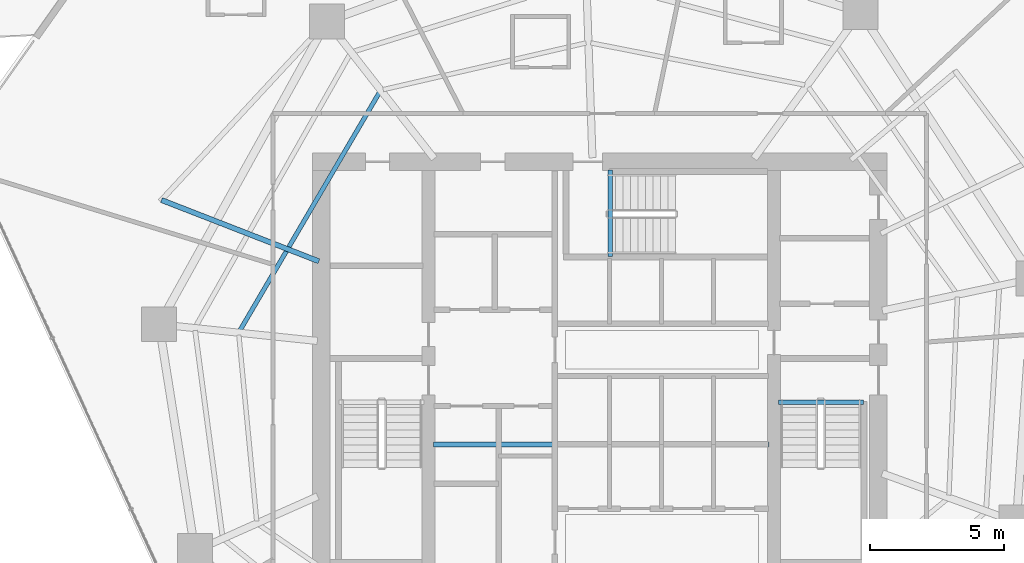
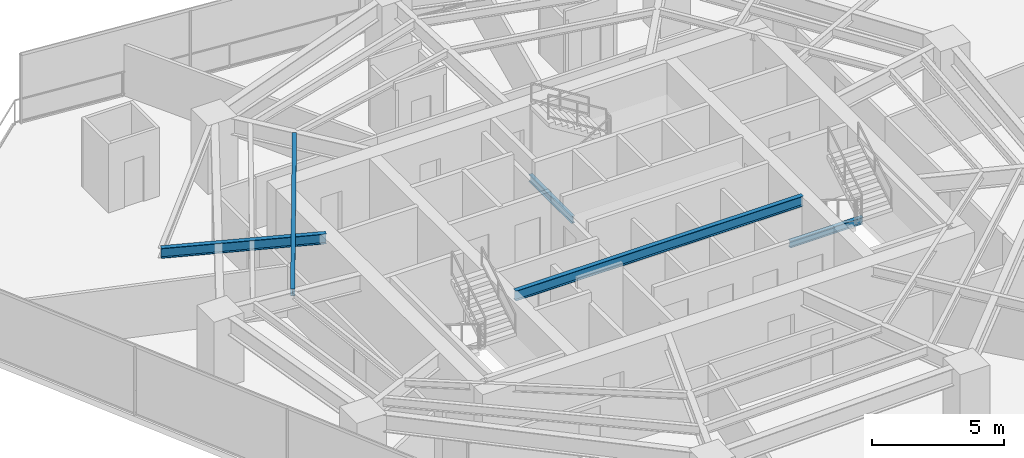
# One storey, part 10 of 30: 5 beams.
"""IFC4 building model written with IfcOpenShell, lengths in metres."""

from ifc_helpers import new_model, si_unit, direction, frame, origin, origin_2d, place, context, subcontext, project, spatial, i_section, extrude, material, material_profile, profile_set, type_object, element, save


model = new_model("IFC4")

# Units and contexts
model_context = context("Model", 3, precision=1e-05, world=origin(), true_north=direction((0.0, 1.0)))
body_context = subcontext(model_context, "Body", "Model", "MODEL_VIEW")
ifc_project = project(units=[si_unit("LENGTHUNIT", "METRE"), si_unit("AREAUNIT", "SQUARE_METRE"), si_unit("VOLUMEUNIT", "CUBIC_METRE"), si_unit("PLANEANGLEUNIT", "RADIAN"), si_unit("MASSUNIT", "GRAM", prefix="KILO")], contexts=[model_context])

# Site, building, storey
site_placement = place(None, origin())
site = spatial("IfcSite", under=ifc_project, at=site_placement, CompositionType="ELEMENT")
building_placement = place(site_placement, origin())
building = spatial("IfcBuilding", under=site, at=building_placement, Name="Qarnah Convention Tower", CompositionType="ELEMENT")
storey_placement = place(building_placement, frame((0.0, 0.0, 47.699951171875)))
storey = spatial("IfcBuildingStorey", under=building, at=storey_placement, Name="L11", CompositionType="ELEMENT", Elevation=47.699951171875)

# Beams
ifc_material = material(Name="Structural steel S355JR", Category="steel")
ifc_material_profile_1 = material_profile(ifc_material, i_section(OverallWidth=0.19189453125, OverallDepth=0.464111328125, WebThickness=0.010986328125, FlangeThickness=0.01806640625, at=origin_2d()), Name="W460X89")
ifc_profile_set_1 = profile_set([ifc_material_profile_1], Name="Structural steel S355JR")
beam_type_1 = type_object("IfcBeamType", Name="BM-CANT-W460A", PredefinedType="BEAM", material=ifc_profile_set_1)
beam_1_placement = place(storey_placement, frame((30.97998046875, 23.64990234375, 2.93798828125), z_axis=(1.0, 0.0, 0.0), x_axis=(0.0, 1.0, 0.0)))
element("IfcBeam", 1, at=beam_1_placement, inside=storey, type_object=beam_type_1, Name="L11 beam BM-L11-KC1", PredefinedType="BEAM", context=body_context, shape_type="SweptSolid", body=[
    extrude(i_section(OverallWidth=0.19189453125, OverallDepth=0.464111328125, WebThickness=0.010986328125, FlangeThickness=0.01806640625, at=origin_2d()), origin(), (0.0, 0.0, 1.0), 12.5400390625),
])
beam_2_placement = place(storey_placement, frame((26.70703125, 30.48388671875, 2.93798828125), z_axis=(-0.931897088326, 0.36272278226, 0.0), x_axis=(-0.36272278226, -0.931897088326, 0.0)))
element("IfcBeam", 2, at=beam_2_placement, inside=storey, type_object=beam_type_1, Name="L11 beam BM-L11-CNT-02-2", PredefinedType="BEAM", context=body_context, shape_type="SweptSolid", body=[
    extrude(i_section(OverallWidth=0.19189453125, OverallDepth=0.464111328125, WebThickness=0.010986328125, FlangeThickness=0.01806640625, at=origin_2d()), origin(), (0.0, 0.0, 1.0), 6.305419921875),
])
ifc_material_profile_2 = material_profile(ifc_material, i_section(OverallWidth=0.166015625, OverallDepth=0.31201171875, WebThickness=0.007080078125, FlangeThickness=0.010986328125, at=origin_2d()), Name="W310X45")
ifc_profile_set_2 = profile_set([ifc_material_profile_2], Name="Structural steel S355JR")
beam_type_2 = type_object("IfcBeamType", Name="BM-JST-W310", PredefinedType="JOIST", material=ifc_profile_set_2)
beam_3_placement = place(storey_placement, frame((43.860107421875, 25.217041015625, -0.156005859375), z_axis=(1.0, 0.0, 0.0), x_axis=(0.0, 1.0, 0.0)))
element("IfcBeam", 3, at=beam_3_placement, inside=storey, type_object=beam_type_2, Name="L11 stair landing trimmer beam BM-L11-ST2-TRM", PredefinedType="BEAM", context=body_context, shape_type="SweptSolid", body=[
    extrude(i_section(OverallWidth=0.166015625, OverallDepth=0.31201171875, WebThickness=0.007080078125, FlangeThickness=0.010986328125, at=origin_2d()), origin(), (0.0, 0.0, 1.0), 3.179931640625),
])
beam_4_placement = place(storey_placement, frame((37.5830078125, 30.659912109375, -0.156005859375), z_axis=(0.0, 1.0, 0.0), x_axis=(-1.0, 0.0, 0.0)))
element("IfcBeam", 4, at=beam_4_placement, inside=storey, type_object=beam_type_2, Name="L11 stair landing trimmer beam BM-L11-ST3-TRM", PredefinedType="BEAM", context=body_context, shape_type="SweptSolid", body=[
    extrude(i_section(OverallWidth=0.166015625, OverallDepth=0.31201171875, WebThickness=0.007080078125, FlangeThickness=0.010986328125, at=origin_2d()), origin(), (0.0, 0.0, 1.0), 3.239990234375),
])
beam_5_placement = place(storey_placement, frame((28.971923828125, 36.794921875, 3.01416015625), z_axis=(-0.505662399999, -0.862731439804, 0.0), x_axis=(0.862731439804, -0.505662399999, 0.0)))
element("IfcBeam", 5, at=beam_5_placement, inside=storey, type_object=beam_type_2, Name="L11 joist BM-L11-IJST-04", PredefinedType="JOIST", context=body_context, shape_type="SweptSolid", body=[
    extrude(i_section(OverallWidth=0.166015625, OverallDepth=0.31201171875, WebThickness=0.007080078125, FlangeThickness=0.010986328125, at=origin_2d()), origin(), (0.0, 0.0, 1.0), 10.31494140625),
])

save(model, "model.ifc")
